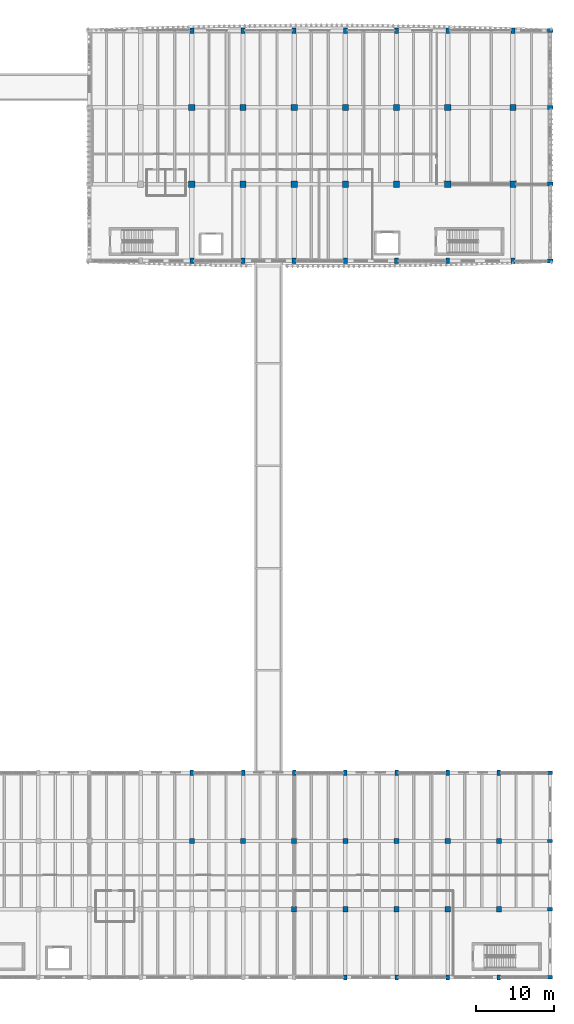
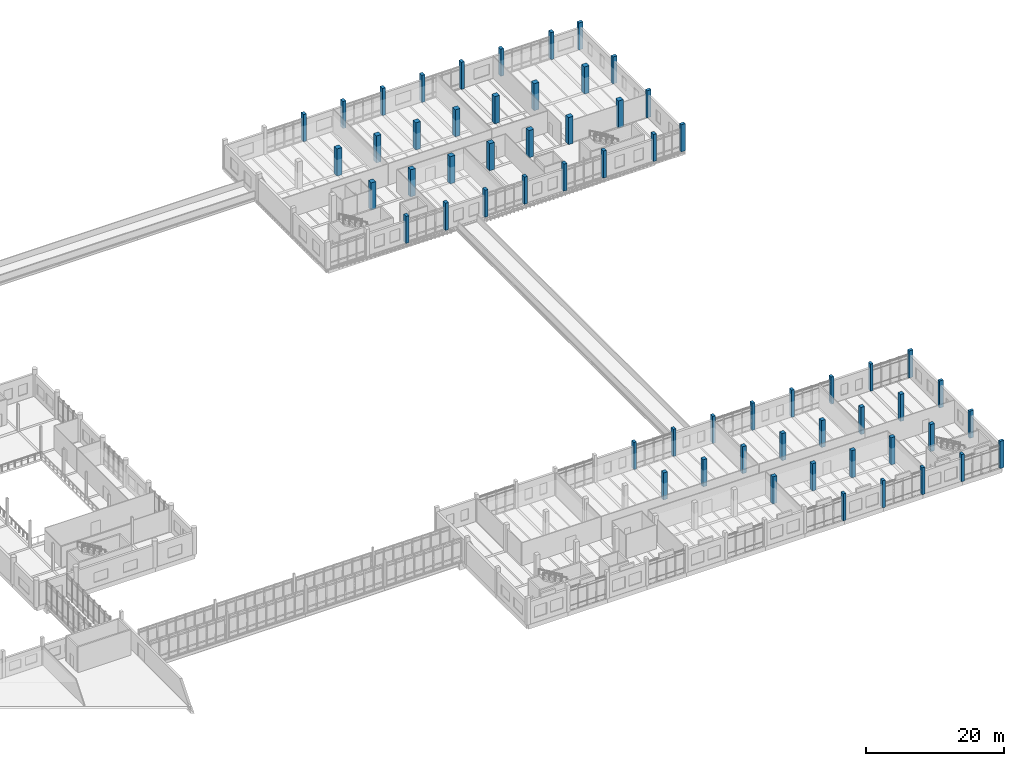
# One storey, part 8 of 101: 59 columns.
"""IFC4 building model written with IfcOpenShell, lengths in metres."""

from ifc_helpers import new_model, si_unit, direction, frame, origin, origin_2d, place, context, subcontext, project, spatial, rectangle, extrude, material, material_profile, profile_set, type_object, element, save


model = new_model("IFC4")

# Units and contexts
model_context = context("Model", 3, precision=1e-05, world=origin(), true_north=direction((0.0, 1.0)))
body_context = subcontext(model_context, "Body", "Model", "MODEL_VIEW")
ifc_project = project(units=[si_unit("LENGTHUNIT", "METRE"), si_unit("AREAUNIT", "SQUARE_METRE"), si_unit("VOLUMEUNIT", "CUBIC_METRE"), si_unit("PLANEANGLEUNIT", "RADIAN"), si_unit("MASSUNIT", "GRAM", prefix="KILO")], contexts=[model_context])

# Site, building, storey
site_placement = place(None, origin())
site = spatial("IfcSite", under=ifc_project, at=site_placement, CompositionType="ELEMENT")
building_placement = place(site_placement, origin())
building = spatial("IfcBuilding", under=site, at=building_placement, Name="Dornvale Research Institute", CompositionType="ELEMENT")
storey_placement = place(building_placement, frame((0.0, 0.0, 10.199951171875)))
storey = spatial("IfcBuildingStorey", under=building, at=storey_placement, Name="L02", CompositionType="ELEMENT", Elevation=10.199951171875)

# Columns
ifc_material_1 = material(Name="Concrete f'c 45 MPa (C35/45)", Category="concrete")
ifc_material_profile_1 = material_profile(ifc_material_1, rectangle(XDim=0.64990234375, YDim=0.64990234375, at=origin_2d()), Name="RC 650x650")
ifc_profile_set_1 = profile_set([ifc_material_profile_1], Name="Concrete f'c 45 MPa (C35/45)")
column_type_1 = type_object("IfcColumnType", Name="Column_RC650", PredefinedType="COLUMN", material=ifc_profile_set_1)
for number, where, z_axis, x_axis, name in (
    (1, (132.0, 17.60009765625, 0.0), (0.0, 0.0, 1.0), (1.0, 0.0, 0.0), "L02 column #904"),
    (2, (138.60009765625, 17.60009765625, 0.0), (0.0, 0.0, 1.0), (1.0, 0.0, 0.0), "L02 column #908"),
    (3, (145.199951171875, 8.800048828125, 0.0), (0.0, 0.0, 1.0), (1.0, 0.0, 0.0), "L02 column #911"),
    (4, (145.199951171875, 17.60009765625, 0.0), (0.0, 0.0, 1.0), (1.0, 0.0, 0.0), "L02 column #912"),
    (5, (151.800048828125, 8.800048828125, 0.0), (0.0, 0.0, 1.0), (1.0, 0.0, 0.0), "L02 column #915"),
    (6, (151.800048828125, 17.60009765625, 0.0), (0.0, 0.0, 1.0), (1.0, 0.0, 0.0), "L02 column #916"),
    (7, (158.39990234375, 8.800048828125, 0.0), (0.0, 0.0, 1.0), (1.0, 0.0, 0.0), "L02 column #919"),
    (8, (158.39990234375, 17.60009765625, 0.0), (0.0, 0.0, 1.0), (1.0, 0.0, 0.0), "L02 column #920"),
    (9, (165.0, 8.800048828125, 0.0), (0.0, 0.0, 1.0), (1.0, 0.0, 0.0), "L02 column #923"),
    (10, (165.0, 17.60009765625, 0.0), (0.0, 0.0, 1.0), (1.0, 0.0, 0.0), "L02 column #924"),
    (11, (171.60009765625, 8.800048828125, 0.0), (0.0, 0.0, 1.0), (1.0, 0.0, 0.0), "L02 column #927"),
    (12, (171.60009765625, 17.60009765625, 0.0), (0.0, 0.0, 1.0), (1.0, 0.0, 0.0), "L02 column #928"),
):
    element("IfcColumn", number, at=place(storey_placement, frame(where, z_axis=z_axis, x_axis=x_axis)), inside=storey, type_object=column_type_1, Name=name, PredefinedType="COLUMN", context=body_context, shape_type="SweptSolid", body=[
        extrude(rectangle(XDim=0.64990234375, YDim=0.64990234375, at=origin_2d()), origin(), (0.0, 0.0, 1.0), 4.800048828125),
    ])
ifc_material_2 = material(Name="Concrete f'c 50 MPa (C40/50)", Category="concrete")
ifc_material_profile_2 = material_profile(ifc_material_2, rectangle(XDim=0.800048828125, YDim=0.800048828125, at=origin_2d()), Name="RC 800x800")
ifc_profile_set_2 = profile_set([ifc_material_profile_2], Name="Concrete f'c 50 MPa (C40/50)")
column_type_2 = type_object("IfcColumnType", Name="Column_RC800", PredefinedType="COLUMN", material=ifc_profile_set_2)
for number, where, z_axis, x_axis, name in (
    (13, (132.0, 102.300048828125, 0.0), (0.0, 0.0, 1.0), (1.0, 0.0, 0.0), "L02 column #543"),
    (14, (132.0, 112.199951171875, 0.0), (0.0, 0.0, 1.0), (1.0, 0.0, 0.0), "L02 column #544"),
    (15, (138.60009765625, 102.300048828125, 0.0), (0.0, 0.0, 1.0), (1.0, 0.0, 0.0), "L02 column #547"),
    (16, (138.60009765625, 112.199951171875, 0.0), (0.0, 0.0, 1.0), (1.0, 0.0, 0.0), "L02 column #548"),
    (17, (145.199951171875, 102.300048828125, 0.0), (0.0, 0.0, 1.0), (1.0, 0.0, 0.0), "L02 column #551"),
    (18, (145.199951171875, 112.199951171875, 0.0), (0.0, 0.0, 1.0), (1.0, 0.0, 0.0), "L02 column #552"),
    (19, (151.800048828125, 102.300048828125, 0.0), (0.0, 0.0, 1.0), (1.0, 0.0, 0.0), "L02 column #555"),
    (20, (151.800048828125, 112.199951171875, 0.0), (0.0, 0.0, 1.0), (1.0, 0.0, 0.0), "L02 column #556"),
    (21, (158.39990234375, 102.300048828125, 0.0), (0.0, 0.0, 1.0), (1.0, 0.0, 0.0), "L02 column #559"),
    (22, (158.39990234375, 112.199951171875, 0.0), (0.0, 0.0, 1.0), (1.0, 0.0, 0.0), "L02 column #560"),
    (23, (165.0, 102.300048828125, 0.0), (0.0, 0.0, 1.0), (1.0, 0.0, 0.0), "L02 column #563"),
    (24, (165.0, 112.199951171875, 0.0), (0.0, 0.0, 1.0), (1.0, 0.0, 0.0), "L02 column #564"),
    (25, (173.39990234375, 102.300048828125, 0.0), (0.0, 0.0, 1.0), (1.0, 0.0, 0.0), "L02 column #567"),
    (26, (173.39990234375, 112.199951171875, 0.0), (0.0, 0.0, 1.0), (1.0, 0.0, 0.0), "L02 column #568"),
):
    element("IfcColumn", number, at=place(storey_placement, frame(where, z_axis=z_axis, x_axis=x_axis)), inside=storey, type_object=column_type_2, Name=name, PredefinedType="COLUMN", context=body_context, shape_type="SweptSolid", body=[
        extrude(rectangle(XDim=0.800048828125, YDim=0.800048828125, at=origin_2d()), origin(), (0.0, 0.0, 1.0), 4.800048828125),
    ])
ifc_material_3 = material(Name="Concrete f'c 45 MPa (C35/45)", Category="concrete")
ifc_material_profile_3 = material_profile(ifc_material_3, rectangle(XDim=0.449951171875, YDim=0.64990234375, at=origin_2d()), Name="RC 450x650")
ifc_profile_set_3 = profile_set([ifc_material_profile_3], Name="Concrete f'c 45 MPa (C35/45)")
column_type_3 = type_object("IfcColumnType", Name="Pilaster_RC450x650_Ext", PredefinedType="PILASTER", material=ifc_profile_set_3)
for number, where, z_axis, x_axis, name in (
    (27, (132.0, 26.39990234375, 0.0), (0.0, 0.0, 1.0), (1.0, 0.0, 0.0), "L02 column #905"),
    (28, (138.60009765625, 26.39990234375, 0.0), (0.0, 0.0, 1.0), (1.0, 0.0, 0.0), "L02 column #909"),
    (29, (145.199951171875, 26.39990234375, 0.0), (0.0, 0.0, 1.0), (1.0, 0.0, 0.0), "L02 column #913"),
    (30, (151.800048828125, 0.0, 0.0), (0.0, 0.0, 1.0), (1.0, 0.0, 0.0), "L02 column #914"),
    (31, (151.800048828125, 26.39990234375, 0.0), (0.0, 0.0, 1.0), (1.0, 0.0, 0.0), "L02 column #917"),
    (32, (158.39990234375, 0.0, 0.0), (0.0, 0.0, 1.0), (1.0, 0.0, 0.0), "L02 column #918"),
    (33, (158.39990234375, 26.39990234375, 0.0), (0.0, 0.0, 1.0), (1.0, 0.0, 0.0), "L02 column #921"),
    (34, (165.0, 0.0, 0.0), (0.0, 0.0, 1.0), (1.0, 0.0, 0.0), "L02 column #922"),
    (35, (165.0, 26.39990234375, 0.0), (0.0, 0.0, 1.0), (1.0, 0.0, 0.0), "L02 column #925"),
    (36, (171.60009765625, 0.0, 0.0), (0.0, 0.0, 1.0), (1.0, 0.0, 0.0), "L02 column #926"),
    (37, (171.60009765625, 26.39990234375, 0.0), (0.0, 0.0, 1.0), (1.0, 0.0, 0.0), "L02 column #929"),
    (38, (178.199951171875, 0.0, 0.0), (0.0, 0.0, 1.0), (0.0, 1.0, 0.0), "L02 column #930"),
    (39, (178.199951171875, 8.800048828125, 0.0), (0.0, 0.0, 1.0), (0.0, 1.0, 0.0), "L02 column #931"),
    (40, (178.199951171875, 17.60009765625, 0.0), (0.0, 0.0, 1.0), (0.0, 1.0, 0.0), "L02 column #932"),
    (41, (178.199951171875, 26.39990234375, 0.0), (0.0, 0.0, 1.0), (0.0, 1.0, 0.0), "L02 column #933"),
):
    element("IfcColumn", number, at=place(storey_placement, frame(where, z_axis=z_axis, x_axis=x_axis)), inside=storey, type_object=column_type_3, Name=name, PredefinedType="PILASTER", context=body_context, shape_type="SweptSolid", body=[
        extrude(rectangle(XDim=0.449951171875, YDim=0.64990234375, at=origin_2d()), origin(), (0.0, 0.0, 1.0), 4.800048828125),
    ])
ifc_material_4 = material(Name="Concrete f'c 50 MPa (C40/50)", Category="concrete")
ifc_material_profile_4 = material_profile(ifc_material_4, rectangle(XDim=0.5, YDim=0.699951171875, at=origin_2d()), Name="RC 500x700")
ifc_profile_set_4 = profile_set([ifc_material_profile_4], Name="Concrete f'c 50 MPa (C40/50)")
column_type_4 = type_object("IfcColumnType", Name="Pilaster_RC500x700_Ext", PredefinedType="PILASTER", material=ifc_profile_set_4)
for number, where, z_axis, x_axis, name in (
    (42, (132.0, 92.39990234375, 0.0), (0.0, 0.0, 1.0), (1.0, 0.0, 0.0), "L02 column #542"),
    (43, (132.0, 122.10009765625, 0.0), (0.0, 0.0, 1.0), (1.0, 0.0, 0.0), "L02 column #545"),
    (44, (138.60009765625, 92.39990234375, 0.0), (0.0, 0.0, 1.0), (1.0, 0.0, 0.0), "L02 column #546"),
    (45, (138.60009765625, 122.10009765625, 0.0), (0.0, 0.0, 1.0), (1.0, 0.0, 0.0), "L02 column #549"),
    (46, (145.199951171875, 92.39990234375, 0.0), (0.0, 0.0, 1.0), (1.0, 0.0, 0.0), "L02 column #550"),
    (47, (145.199951171875, 122.10009765625, 0.0), (0.0, 0.0, 1.0), (1.0, 0.0, 0.0), "L02 column #553"),
    (48, (151.800048828125, 92.39990234375, 0.0), (0.0, 0.0, 1.0), (1.0, 0.0, 0.0), "L02 column #554"),
    (49, (151.800048828125, 122.10009765625, 0.0), (0.0, 0.0, 1.0), (1.0, 0.0, 0.0), "L02 column #557"),
    (50, (158.39990234375, 92.39990234375, 0.0), (0.0, 0.0, 1.0), (1.0, 0.0, 0.0), "L02 column #558"),
    (51, (158.39990234375, 122.10009765625, 0.0), (0.0, 0.0, 1.0), (1.0, 0.0, 0.0), "L02 column #561"),
    (52, (165.0, 92.39990234375, 0.0), (0.0, 0.0, 1.0), (1.0, 0.0, 0.0), "L02 column #562"),
    (53, (165.0, 122.10009765625, 0.0), (0.0, 0.0, 1.0), (1.0, 0.0, 0.0), "L02 column #565"),
    (54, (173.39990234375, 92.39990234375, 0.0), (0.0, 0.0, 1.0), (1.0, 0.0, 0.0), "L02 column #566"),
    (55, (173.39990234375, 122.10009765625, 0.0), (0.0, 0.0, 1.0), (1.0, 0.0, 0.0), "L02 column #569"),
    (56, (178.199951171875, 92.39990234375, 0.0), (0.0, 0.0, 1.0), (0.0, 1.0, 0.0), "L02 column #570"),
    (57, (178.199951171875, 102.300048828125, 0.0), (0.0, 0.0, 1.0), (0.0, 1.0, 0.0), "L02 column #571"),
    (58, (178.199951171875, 112.199951171875, 0.0), (0.0, 0.0, 1.0), (0.0, 1.0, 0.0), "L02 column #572"),
    (59, (178.199951171875, 122.10009765625, 0.0), (0.0, 0.0, 1.0), (0.0, 1.0, 0.0), "L02 column #573"),
):
    element("IfcColumn", number, at=place(storey_placement, frame(where, z_axis=z_axis, x_axis=x_axis)), inside=storey, type_object=column_type_4, Name=name, PredefinedType="PILASTER", context=body_context, shape_type="SweptSolid", body=[
        extrude(rectangle(XDim=0.5, YDim=0.699951171875, at=origin_2d()), origin(), (0.0, 0.0, 1.0), 4.800048828125),
    ])

save(model, "model.ifc")
